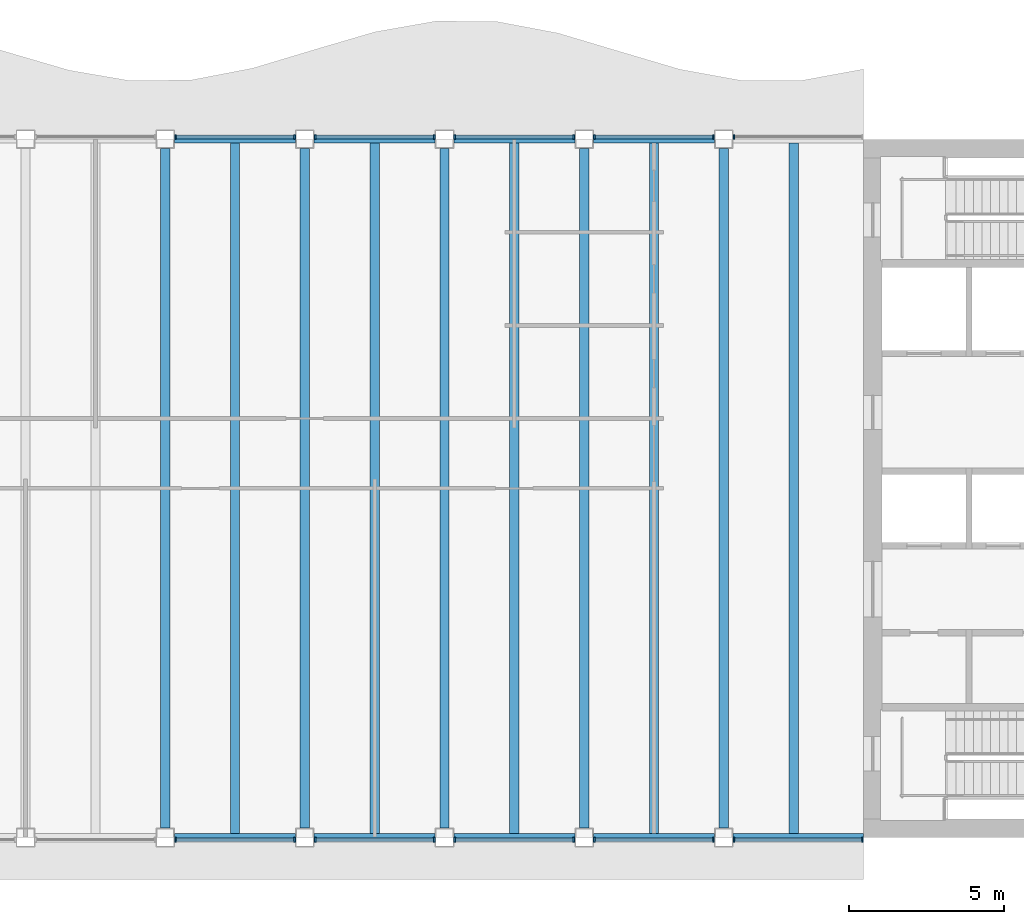
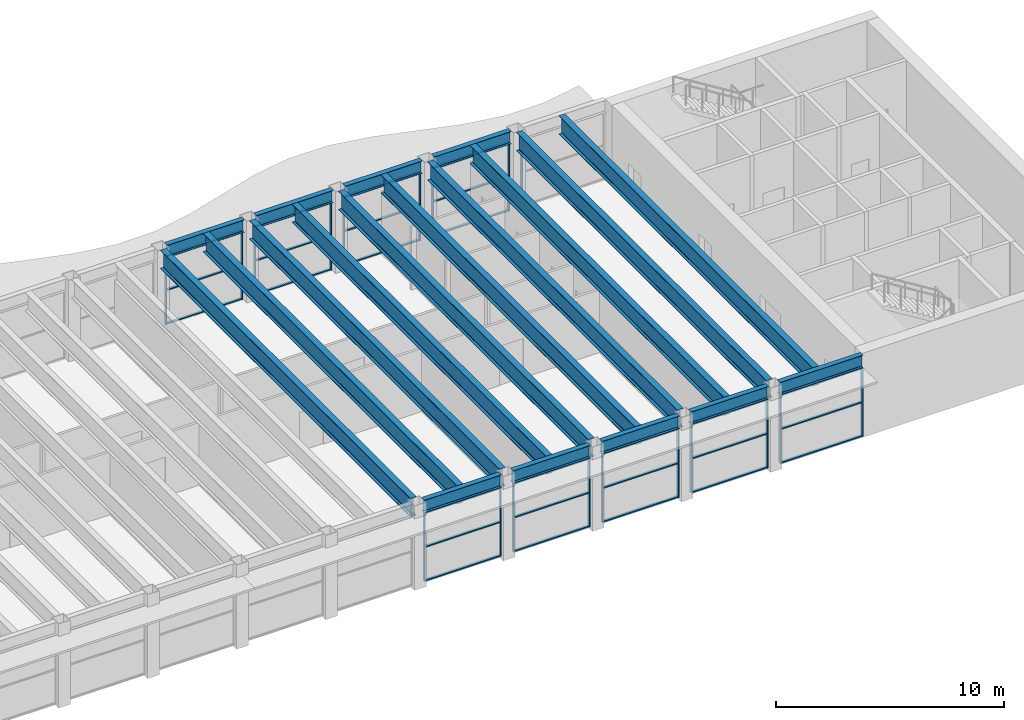
# One storey, part 5 of 15: 46 members, 19 beams, 10 elements without a shape of their own.
"""IFC4 building model written with IfcOpenShell, lengths in metres."""

from ifc_helpers import new_model, si_unit, direction, frame, origin, origin_2d, place, context, subcontext, project, spatial, rectangle, i_section, extrude, material, material_profile, profile_set, type_object, element, aggregate, save


model = new_model("IFC4")

# Units and contexts
model_context = context("Model", 3, precision=1e-05, world=origin(), true_north=direction((0.0, 1.0)))
body_context = subcontext(model_context, "Body", "Model", "MODEL_VIEW")
ifc_project = project(units=[si_unit("LENGTHUNIT", "METRE"), si_unit("AREAUNIT", "SQUARE_METRE"), si_unit("VOLUMEUNIT", "CUBIC_METRE"), si_unit("PLANEANGLEUNIT", "RADIAN"), si_unit("MASSUNIT", "GRAM", prefix="KILO")], contexts=[model_context])

# Site, building, storey
site_placement = place(None, origin())
site = spatial("IfcSite", under=ifc_project, at=site_placement, CompositionType="ELEMENT")
building_placement = place(site_placement, origin())
building = spatial("IfcBuilding", under=site, at=building_placement, Name="Sennacour Bend Tower", CompositionType="ELEMENT")
storey_placement = place(building_placement, frame((0.0, 0.0, 318.5)))
storey = spatial("IfcBuildingStorey", under=building, at=storey_placement, Name="L73", CompositionType="ELEMENT", Elevation=318.5)

# Curtain wall, members
ifc_material_1 = material(Name="Bronze anodised aluminium curtain wall with clear glass", Category="aluminium")
curtain_wall_type = type_object("IfcCurtainWallType", Name="CURTAIN WALL EXEC", PredefinedType="NOTDEFINED", material=ifc_material_1)
curtain_wall_1_placement = place(storey_placement, origin())
curtain_wall_1 = element("IfcCurtainWall", 1, at=curtain_wall_1_placement, inside=storey, type_object=curtain_wall_type, Name="Executive floor glass wall L73", PredefinedType="NOTDEFINED")
ifc_material_2 = material(Name="Aluminium 6063-T6", Category="aluminium")
ifc_material_profile_1 = material_profile(ifc_material_2, rectangle(XDim=0.14990234375, YDim=0.06005859375, at=origin_2d()), Name="Aluminium 6063-T6", Category="aluminium")
ifc_profile_set_1 = profile_set([ifc_material_profile_1], Name="Aluminium 6063-T6")
member_type_1 = type_object("IfcMemberType", Name="CW-MULLION-150X60", PredefinedType="MULLION", material=ifc_profile_set_1)
member_1_placement = place(storey_placement, frame((31.830078125, -0.074951171875, 0.0), z_axis=(0.0, 0.0, 1.0), x_axis=(0.0, 1.0, 0.0)))
member_1 = element("IfcMember", 2, at=member_1_placement, type_object=member_type_1, Name="GW3 curtain wall mullion 1", PredefinedType="MULLION", context=body_context, shape_type="SweptSolid", body=[
    extrude(rectangle(XDim=0.14990234375, YDim=0.06005859375, at=origin_2d()), origin(), (0.0, 0.0, 1.0), 3.672119140625),
])
member_2_placement = place(storey_placement, frame((35.669921875, -0.074951171875, 0.0), z_axis=(0.0, 0.0, 1.0), x_axis=(0.0, 1.0, 0.0)))
member_2 = element("IfcMember", 3, at=member_2_placement, type_object=member_type_1, Name="GW3 curtain wall mullion 2", PredefinedType="MULLION", context=body_context, shape_type="SweptSolid", body=[
    extrude(rectangle(XDim=0.14990234375, YDim=0.06005859375, at=origin_2d()), origin(), (0.0, 0.0, 1.0), 3.672119140625),
])

curtain_wall_2_placement = place(storey_placement, origin())
curtain_wall_2 = element("IfcCurtainWall", 4, at=curtain_wall_2_placement, inside=storey, type_object=curtain_wall_type, Name="Executive floor glass wall L73", PredefinedType="NOTDEFINED")
member_3_placement = place(storey_placement, frame((36.330078125, -0.074951171875, 0.0), z_axis=(0.0, 0.0, 1.0), x_axis=(0.0, 1.0, 0.0)))
member_3 = element("IfcMember", 5, at=member_3_placement, type_object=member_type_1, Name="GW3 curtain wall mullion 1", PredefinedType="MULLION", context=body_context, shape_type="SweptSolid", body=[
    extrude(rectangle(XDim=0.14990234375, YDim=0.06005859375, at=origin_2d()), origin(), (0.0, 0.0, 1.0), 3.672119140625),
])
member_4_placement = place(storey_placement, frame((40.169921875, -0.074951171875, 0.0), z_axis=(0.0, 0.0, 1.0), x_axis=(0.0, 1.0, 0.0)))
member_4 = element("IfcMember", 6, at=member_4_placement, type_object=member_type_1, Name="GW3 curtain wall mullion 2", PredefinedType="MULLION", context=body_context, shape_type="SweptSolid", body=[
    extrude(rectangle(XDim=0.14990234375, YDim=0.06005859375, at=origin_2d()), origin(), (0.0, 0.0, 1.0), 3.672119140625),
])

curtain_wall_3_placement = place(storey_placement, origin())
curtain_wall_3 = element("IfcCurtainWall", 7, at=curtain_wall_3_placement, inside=storey, type_object=curtain_wall_type, Name="Executive floor glass wall L73", PredefinedType="NOTDEFINED")
member_5_placement = place(storey_placement, frame((40.830078125, -0.074951171875, 0.0), z_axis=(0.0, 0.0, 1.0), x_axis=(0.0, 1.0, 0.0)))
member_5 = element("IfcMember", 8, at=member_5_placement, type_object=member_type_1, Name="GW3 curtain wall mullion 1", PredefinedType="MULLION", context=body_context, shape_type="SweptSolid", body=[
    extrude(rectangle(XDim=0.14990234375, YDim=0.06005859375, at=origin_2d()), origin(), (0.0, 0.0, 1.0), 3.672119140625),
])
member_6_placement = place(storey_placement, frame((44.669921875, -0.074951171875, 0.0), z_axis=(0.0, 0.0, 1.0), x_axis=(0.0, 1.0, 0.0)))
member_6 = element("IfcMember", 9, at=member_6_placement, type_object=member_type_1, Name="GW3 curtain wall mullion 2", PredefinedType="MULLION", context=body_context, shape_type="SweptSolid", body=[
    extrude(rectangle(XDim=0.14990234375, YDim=0.06005859375, at=origin_2d()), origin(), (0.0, 0.0, 1.0), 3.672119140625),
])

curtain_wall_4_placement = place(storey_placement, origin())
curtain_wall_4 = element("IfcCurtainWall", 10, at=curtain_wall_4_placement, inside=storey, type_object=curtain_wall_type, Name="Executive floor glass wall L73", PredefinedType="NOTDEFINED")
member_7_placement = place(storey_placement, frame((45.330078125, -0.074951171875, 0.0), z_axis=(0.0, 0.0, 1.0), x_axis=(0.0, 1.0, 0.0)))
member_7 = element("IfcMember", 11, at=member_7_placement, type_object=member_type_1, Name="GW3 curtain wall mullion 1", PredefinedType="MULLION", context=body_context, shape_type="SweptSolid", body=[
    extrude(rectangle(XDim=0.14990234375, YDim=0.06005859375, at=origin_2d()), origin(), (0.0, 0.0, 1.0), 3.672119140625),
])
member_8_placement = place(storey_placement, frame((49.169921875, -0.074951171875, 0.0), z_axis=(0.0, 0.0, 1.0), x_axis=(0.0, 1.0, 0.0)))
member_8 = element("IfcMember", 12, at=member_8_placement, type_object=member_type_1, Name="GW3 curtain wall mullion 2", PredefinedType="MULLION", context=body_context, shape_type="SweptSolid", body=[
    extrude(rectangle(XDim=0.14990234375, YDim=0.06005859375, at=origin_2d()), origin(), (0.0, 0.0, 1.0), 3.672119140625),
])

curtain_wall_5_placement = place(storey_placement, origin())
curtain_wall_5 = element("IfcCurtainWall", 13, at=curtain_wall_5_placement, inside=storey, type_object=curtain_wall_type, Name="Executive floor glass wall L73", PredefinedType="NOTDEFINED")
member_9_placement = place(storey_placement, frame((49.830078125, -0.074951171875, 0.0), z_axis=(0.0, 0.0, 1.0), x_axis=(0.0, 1.0, 0.0)))
member_9 = element("IfcMember", 14, at=member_9_placement, type_object=member_type_1, Name="GW3 curtain wall mullion 1", PredefinedType="MULLION", context=body_context, shape_type="SweptSolid", body=[
    extrude(rectangle(XDim=0.14990234375, YDim=0.06005859375, at=origin_2d()), origin(), (0.0, 0.0, 1.0), 3.672119140625),
])
member_10_placement = place(storey_placement, frame((53.969970703125, -0.074951171875, 0.0), z_axis=(0.0, 0.0, 1.0), x_axis=(0.0, 1.0, 0.0)))
member_10 = element("IfcMember", 15, at=member_10_placement, type_object=member_type_1, Name="GW3 curtain wall mullion 2", PredefinedType="MULLION", context=body_context, shape_type="SweptSolid", body=[
    extrude(rectangle(XDim=0.14990234375, YDim=0.06005859375, at=origin_2d()), origin(), (0.0, 0.0, 1.0), 3.672119140625),
])

# Curtain wall, member
curtain_wall_6_placement = place(storey_placement, origin())
curtain_wall_6 = element("IfcCurtainWall", 16, at=curtain_wall_6_placement, inside=storey, type_object=curtain_wall_type, Name="Executive floor glass wall L73", PredefinedType="NOTDEFINED")
member_11_placement = place(storey_placement, frame((49.830078125, 22.574951171875, 0.0), z_axis=(0.0, 0.0, 1.0), x_axis=(0.0, -1.0, 0.0)))
member_11 = element("IfcMember", 17, at=member_11_placement, type_object=member_type_1, Name="GW3 curtain wall mullion 2", PredefinedType="MULLION", context=body_context, shape_type="SweptSolid", body=[
    extrude(rectangle(XDim=0.14990234375, YDim=0.06005859375, at=origin_2d()), origin(), (0.0, 0.0, 1.0), 3.672119140625),
])
aggregate(curtain_wall_6, [member_11])

# Curtain wall, members
curtain_wall_7_placement = place(storey_placement, origin())
curtain_wall_7 = element("IfcCurtainWall", 18, at=curtain_wall_7_placement, inside=storey, type_object=curtain_wall_type, Name="Executive floor glass wall L73", PredefinedType="NOTDEFINED")
member_12_placement = place(storey_placement, frame((49.169921875, 22.574951171875, 0.0), z_axis=(0.0, 0.0, 1.0), x_axis=(0.0, -1.0, 0.0)))
member_12 = element("IfcMember", 19, at=member_12_placement, type_object=member_type_1, Name="GW3 curtain wall mullion 1", PredefinedType="MULLION", context=body_context, shape_type="SweptSolid", body=[
    extrude(rectangle(XDim=0.14990234375, YDim=0.06005859375, at=origin_2d()), origin(), (0.0, 0.0, 1.0), 3.672119140625),
])
member_13_placement = place(storey_placement, frame((45.330078125, 22.574951171875, 0.0), z_axis=(0.0, 0.0, 1.0), x_axis=(0.0, -1.0, 0.0)))
member_13 = element("IfcMember", 20, at=member_13_placement, type_object=member_type_1, Name="GW3 curtain wall mullion 2", PredefinedType="MULLION", context=body_context, shape_type="SweptSolid", body=[
    extrude(rectangle(XDim=0.14990234375, YDim=0.06005859375, at=origin_2d()), origin(), (0.0, 0.0, 1.0), 3.672119140625),
])

curtain_wall_8_placement = place(storey_placement, origin())
curtain_wall_8 = element("IfcCurtainWall", 21, at=curtain_wall_8_placement, inside=storey, type_object=curtain_wall_type, Name="Executive floor glass wall L73", PredefinedType="NOTDEFINED")
member_14_placement = place(storey_placement, frame((44.669921875, 22.574951171875, 0.0), z_axis=(0.0, 0.0, 1.0), x_axis=(0.0, -1.0, 0.0)))
member_14 = element("IfcMember", 22, at=member_14_placement, type_object=member_type_1, Name="GW3 curtain wall mullion 1", PredefinedType="MULLION", context=body_context, shape_type="SweptSolid", body=[
    extrude(rectangle(XDim=0.14990234375, YDim=0.06005859375, at=origin_2d()), origin(), (0.0, 0.0, 1.0), 3.672119140625),
])
member_15_placement = place(storey_placement, frame((40.830078125, 22.574951171875, 0.0), z_axis=(0.0, 0.0, 1.0), x_axis=(0.0, -1.0, 0.0)))
member_15 = element("IfcMember", 23, at=member_15_placement, type_object=member_type_1, Name="GW3 curtain wall mullion 2", PredefinedType="MULLION", context=body_context, shape_type="SweptSolid", body=[
    extrude(rectangle(XDim=0.14990234375, YDim=0.06005859375, at=origin_2d()), origin(), (0.0, 0.0, 1.0), 3.672119140625),
])

curtain_wall_9_placement = place(storey_placement, origin())
curtain_wall_9 = element("IfcCurtainWall", 24, at=curtain_wall_9_placement, inside=storey, type_object=curtain_wall_type, Name="Executive floor glass wall L73", PredefinedType="NOTDEFINED")
member_16_placement = place(storey_placement, frame((40.169921875, 22.574951171875, 0.0), z_axis=(0.0, 0.0, 1.0), x_axis=(0.0, -1.0, 0.0)))
member_16 = element("IfcMember", 25, at=member_16_placement, type_object=member_type_1, Name="GW3 curtain wall mullion 1", PredefinedType="MULLION", context=body_context, shape_type="SweptSolid", body=[
    extrude(rectangle(XDim=0.14990234375, YDim=0.06005859375, at=origin_2d()), origin(), (0.0, 0.0, 1.0), 3.672119140625),
])
member_17_placement = place(storey_placement, frame((36.330078125, 22.574951171875, 0.0), z_axis=(0.0, 0.0, 1.0), x_axis=(0.0, -1.0, 0.0)))
member_17 = element("IfcMember", 26, at=member_17_placement, type_object=member_type_1, Name="GW3 curtain wall mullion 2", PredefinedType="MULLION", context=body_context, shape_type="SweptSolid", body=[
    extrude(rectangle(XDim=0.14990234375, YDim=0.06005859375, at=origin_2d()), origin(), (0.0, 0.0, 1.0), 3.672119140625),
])

curtain_wall_10_placement = place(storey_placement, origin())
curtain_wall_10 = element("IfcCurtainWall", 27, at=curtain_wall_10_placement, inside=storey, type_object=curtain_wall_type, Name="Executive floor glass wall L73", PredefinedType="NOTDEFINED")
member_18_placement = place(storey_placement, frame((35.669921875, 22.574951171875, 0.0), z_axis=(0.0, 0.0, 1.0), x_axis=(0.0, -1.0, 0.0)))
member_18 = element("IfcMember", 28, at=member_18_placement, type_object=member_type_1, Name="GW3 curtain wall mullion 1", PredefinedType="MULLION", context=body_context, shape_type="SweptSolid", body=[
    extrude(rectangle(XDim=0.14990234375, YDim=0.06005859375, at=origin_2d()), origin(), (0.0, 0.0, 1.0), 3.672119140625),
])
member_19_placement = place(storey_placement, frame((31.830078125, 22.574951171875, 0.0), z_axis=(0.0, 0.0, 1.0), x_axis=(0.0, -1.0, 0.0)))
member_19 = element("IfcMember", 29, at=member_19_placement, type_object=member_type_1, Name="GW3 curtain wall mullion 2", PredefinedType="MULLION", context=body_context, shape_type="SweptSolid", body=[
    extrude(rectangle(XDim=0.14990234375, YDim=0.06005859375, at=origin_2d()), origin(), (0.0, 0.0, 1.0), 3.672119140625),
])

# Member
ifc_material_profile_2 = material_profile(ifc_material_2, rectangle(XDim=0.1201171875, YDim=0.06005859375, at=origin_2d()), Name="Aluminium 6063-T6", Category="aluminium")
ifc_profile_set_2 = profile_set([ifc_material_profile_2], Name="Aluminium 6063-T6")
member_type_2 = type_object("IfcMemberType", Name="CW-TRANSOM-120X60", PredefinedType="USERDEFINED", material=ifc_profile_set_2)
member_20_placement = place(storey_placement, frame((31.860107421875, -0.074951171875, 0.030029296875), z_axis=(1.0, 0.0, 0.0), x_axis=(0.0, 1.0, 0.0)))
member_20 = element("IfcMember", 30, at=member_20_placement, type_object=member_type_2, Name="GW3 curtain wall transom 1.1", ObjectType="TRANSOM", PredefinedType="USERDEFINED", context=body_context, shape_type="SweptSolid", body=[
    extrude(rectangle(XDim=0.1201171875, YDim=0.06005859375, at=origin_2d()), origin(), (0.0, 0.0, 1.0), 3.77978515625),
])

member_21_placement = place(storey_placement, frame((31.860107421875, -0.074951171875, 1.8359375), z_axis=(1.0, 0.0, 0.0), x_axis=(0.0, 1.0, 0.0)))
member_21 = element("IfcMember", 31, at=member_21_placement, type_object=member_type_2, Name="GW3 curtain wall transom 1.2", ObjectType="TRANSOM", PredefinedType="USERDEFINED", context=body_context, shape_type="SweptSolid", body=[
    extrude(rectangle(XDim=0.1201171875, YDim=0.06005859375, at=origin_2d()), origin(), (0.0, 0.0, 1.0), 3.77978515625),
])

member_22_placement = place(storey_placement, frame((31.860107421875, -0.074951171875, 3.64208984375), z_axis=(1.0, 0.0, 0.0), x_axis=(0.0, 1.0, 0.0)))
member_22 = element("IfcMember", 32, at=member_22_placement, type_object=member_type_2, Name="GW3 curtain wall transom 1.3", ObjectType="TRANSOM", PredefinedType="USERDEFINED", context=body_context, shape_type="SweptSolid", body=[
    extrude(rectangle(XDim=0.1201171875, YDim=0.06005859375, at=origin_2d()), origin(), (0.0, 0.0, 1.0), 3.77978515625),
])

aggregate(curtain_wall_1, [member_1, member_2, member_20, member_21, member_22])

member_23_placement = place(storey_placement, frame((36.360107421875, -0.074951171875, 0.030029296875), z_axis=(1.0, 0.0, 0.0), x_axis=(0.0, 1.0, 0.0)))
member_23 = element("IfcMember", 33, at=member_23_placement, type_object=member_type_2, Name="GW3 curtain wall transom 1.1", ObjectType="TRANSOM", PredefinedType="USERDEFINED", context=body_context, shape_type="SweptSolid", body=[
    extrude(rectangle(XDim=0.1201171875, YDim=0.06005859375, at=origin_2d()), origin(), (0.0, 0.0, 1.0), 3.77978515625),
])

member_24_placement = place(storey_placement, frame((36.360107421875, -0.074951171875, 1.8359375), z_axis=(1.0, 0.0, 0.0), x_axis=(0.0, 1.0, 0.0)))
member_24 = element("IfcMember", 34, at=member_24_placement, type_object=member_type_2, Name="GW3 curtain wall transom 1.2", ObjectType="TRANSOM", PredefinedType="USERDEFINED", context=body_context, shape_type="SweptSolid", body=[
    extrude(rectangle(XDim=0.1201171875, YDim=0.06005859375, at=origin_2d()), origin(), (0.0, 0.0, 1.0), 3.77978515625),
])

member_25_placement = place(storey_placement, frame((36.360107421875, -0.074951171875, 3.64208984375), z_axis=(1.0, 0.0, 0.0), x_axis=(0.0, 1.0, 0.0)))
member_25 = element("IfcMember", 35, at=member_25_placement, type_object=member_type_2, Name="GW3 curtain wall transom 1.3", ObjectType="TRANSOM", PredefinedType="USERDEFINED", context=body_context, shape_type="SweptSolid", body=[
    extrude(rectangle(XDim=0.1201171875, YDim=0.06005859375, at=origin_2d()), origin(), (0.0, 0.0, 1.0), 3.77978515625),
])

aggregate(curtain_wall_2, [member_3, member_4, member_23, member_24, member_25])

member_26_placement = place(storey_placement, frame((40.860107421875, -0.074951171875, 0.030029296875), z_axis=(1.0, 0.0, 0.0), x_axis=(0.0, 1.0, 0.0)))
member_26 = element("IfcMember", 36, at=member_26_placement, type_object=member_type_2, Name="GW3 curtain wall transom 1.1", ObjectType="TRANSOM", PredefinedType="USERDEFINED", context=body_context, shape_type="SweptSolid", body=[
    extrude(rectangle(XDim=0.1201171875, YDim=0.06005859375, at=origin_2d()), origin(), (0.0, 0.0, 1.0), 3.77978515625),
])

member_27_placement = place(storey_placement, frame((40.860107421875, -0.074951171875, 1.8359375), z_axis=(1.0, 0.0, 0.0), x_axis=(0.0, 1.0, 0.0)))
member_27 = element("IfcMember", 37, at=member_27_placement, type_object=member_type_2, Name="GW3 curtain wall transom 1.2", ObjectType="TRANSOM", PredefinedType="USERDEFINED", context=body_context, shape_type="SweptSolid", body=[
    extrude(rectangle(XDim=0.1201171875, YDim=0.06005859375, at=origin_2d()), origin(), (0.0, 0.0, 1.0), 3.77978515625),
])

member_28_placement = place(storey_placement, frame((40.860107421875, -0.074951171875, 3.64208984375), z_axis=(1.0, 0.0, 0.0), x_axis=(0.0, 1.0, 0.0)))
member_28 = element("IfcMember", 38, at=member_28_placement, type_object=member_type_2, Name="GW3 curtain wall transom 1.3", ObjectType="TRANSOM", PredefinedType="USERDEFINED", context=body_context, shape_type="SweptSolid", body=[
    extrude(rectangle(XDim=0.1201171875, YDim=0.06005859375, at=origin_2d()), origin(), (0.0, 0.0, 1.0), 3.77978515625),
])

aggregate(curtain_wall_3, [member_5, member_6, member_26, member_27, member_28])

member_29_placement = place(storey_placement, frame((45.360107421875, -0.074951171875, 0.030029296875), z_axis=(1.0, 0.0, 0.0), x_axis=(0.0, 1.0, 0.0)))
member_29 = element("IfcMember", 39, at=member_29_placement, type_object=member_type_2, Name="GW3 curtain wall transom 1.1", ObjectType="TRANSOM", PredefinedType="USERDEFINED", context=body_context, shape_type="SweptSolid", body=[
    extrude(rectangle(XDim=0.1201171875, YDim=0.06005859375, at=origin_2d()), origin(), (0.0, 0.0, 1.0), 3.77978515625),
])

member_30_placement = place(storey_placement, frame((45.360107421875, -0.074951171875, 1.8359375), z_axis=(1.0, 0.0, 0.0), x_axis=(0.0, 1.0, 0.0)))
member_30 = element("IfcMember", 40, at=member_30_placement, type_object=member_type_2, Name="GW3 curtain wall transom 1.2", ObjectType="TRANSOM", PredefinedType="USERDEFINED", context=body_context, shape_type="SweptSolid", body=[
    extrude(rectangle(XDim=0.1201171875, YDim=0.06005859375, at=origin_2d()), origin(), (0.0, 0.0, 1.0), 3.77978515625),
])

member_31_placement = place(storey_placement, frame((45.360107421875, -0.074951171875, 3.64208984375), z_axis=(1.0, 0.0, 0.0), x_axis=(0.0, 1.0, 0.0)))
member_31 = element("IfcMember", 41, at=member_31_placement, type_object=member_type_2, Name="GW3 curtain wall transom 1.3", ObjectType="TRANSOM", PredefinedType="USERDEFINED", context=body_context, shape_type="SweptSolid", body=[
    extrude(rectangle(XDim=0.1201171875, YDim=0.06005859375, at=origin_2d()), origin(), (0.0, 0.0, 1.0), 3.77978515625),
])

aggregate(curtain_wall_4, [member_7, member_8, member_29, member_30, member_31])

member_32_placement = place(storey_placement, frame((49.860107421875, -0.074951171875, 0.030029296875), z_axis=(1.0, 0.0, 0.0), x_axis=(0.0, 1.0, 0.0)))
member_32 = element("IfcMember", 42, at=member_32_placement, type_object=member_type_2, Name="GW3 curtain wall transom 1.1", ObjectType="TRANSOM", PredefinedType="USERDEFINED", context=body_context, shape_type="SweptSolid", body=[
    extrude(rectangle(XDim=0.1201171875, YDim=0.06005859375, at=origin_2d()), origin(), (0.0, 0.0, 1.0), 4.079833984375),
])

member_33_placement = place(storey_placement, frame((49.860107421875, -0.074951171875, 1.8359375), z_axis=(1.0, 0.0, 0.0), x_axis=(0.0, 1.0, 0.0)))
member_33 = element("IfcMember", 43, at=member_33_placement, type_object=member_type_2, Name="GW3 curtain wall transom 1.2", ObjectType="TRANSOM", PredefinedType="USERDEFINED", context=body_context, shape_type="SweptSolid", body=[
    extrude(rectangle(XDim=0.1201171875, YDim=0.06005859375, at=origin_2d()), origin(), (0.0, 0.0, 1.0), 4.079833984375),
])

member_34_placement = place(storey_placement, frame((49.860107421875, -0.074951171875, 3.64208984375), z_axis=(1.0, 0.0, 0.0), x_axis=(0.0, 1.0, 0.0)))
member_34 = element("IfcMember", 44, at=member_34_placement, type_object=member_type_2, Name="GW3 curtain wall transom 1.3", ObjectType="TRANSOM", PredefinedType="USERDEFINED", context=body_context, shape_type="SweptSolid", body=[
    extrude(rectangle(XDim=0.1201171875, YDim=0.06005859375, at=origin_2d()), origin(), (0.0, 0.0, 1.0), 4.079833984375),
])

aggregate(curtain_wall_5, [member_9, member_10, member_32, member_33, member_34])

member_35_placement = place(storey_placement, frame((49.139892578125, 22.574951171875, 0.030029296875), z_axis=(-1.0, 0.0, 0.0), x_axis=(0.0, -1.0, 0.0)))
member_35 = element("IfcMember", 45, at=member_35_placement, type_object=member_type_2, Name="GW3 curtain wall transom 1.1", ObjectType="TRANSOM", PredefinedType="USERDEFINED", context=body_context, shape_type="SweptSolid", body=[
    extrude(rectangle(XDim=0.1201171875, YDim=0.06005859375, at=origin_2d()), origin(), (0.0, 0.0, 1.0), 3.77978515625),
])

member_36_placement = place(storey_placement, frame((49.139892578125, 22.574951171875, 1.8359375), z_axis=(-1.0, 0.0, 0.0), x_axis=(0.0, -1.0, 0.0)))
member_36 = element("IfcMember", 46, at=member_36_placement, type_object=member_type_2, Name="GW3 curtain wall transom 1.2", ObjectType="TRANSOM", PredefinedType="USERDEFINED", context=body_context, shape_type="SweptSolid", body=[
    extrude(rectangle(XDim=0.1201171875, YDim=0.06005859375, at=origin_2d()), origin(), (0.0, 0.0, 1.0), 3.77978515625),
])

member_37_placement = place(storey_placement, frame((49.139892578125, 22.574951171875, 3.64208984375), z_axis=(-1.0, 0.0, 0.0), x_axis=(0.0, -1.0, 0.0)))
member_37 = element("IfcMember", 47, at=member_37_placement, type_object=member_type_2, Name="GW3 curtain wall transom 1.3", ObjectType="TRANSOM", PredefinedType="USERDEFINED", context=body_context, shape_type="SweptSolid", body=[
    extrude(rectangle(XDim=0.1201171875, YDim=0.06005859375, at=origin_2d()), origin(), (0.0, 0.0, 1.0), 3.77978515625),
])

aggregate(curtain_wall_7, [member_12, member_13, member_35, member_36, member_37])

member_38_placement = place(storey_placement, frame((44.639892578125, 22.574951171875, 0.030029296875), z_axis=(-1.0, 0.0, 0.0), x_axis=(0.0, -1.0, 0.0)))
member_38 = element("IfcMember", 48, at=member_38_placement, type_object=member_type_2, Name="GW3 curtain wall transom 1.1", ObjectType="TRANSOM", PredefinedType="USERDEFINED", context=body_context, shape_type="SweptSolid", body=[
    extrude(rectangle(XDim=0.1201171875, YDim=0.06005859375, at=origin_2d()), origin(), (0.0, 0.0, 1.0), 3.77978515625),
])

member_39_placement = place(storey_placement, frame((44.639892578125, 22.574951171875, 1.8359375), z_axis=(-1.0, 0.0, 0.0), x_axis=(0.0, -1.0, 0.0)))
member_39 = element("IfcMember", 49, at=member_39_placement, type_object=member_type_2, Name="GW3 curtain wall transom 1.2", ObjectType="TRANSOM", PredefinedType="USERDEFINED", context=body_context, shape_type="SweptSolid", body=[
    extrude(rectangle(XDim=0.1201171875, YDim=0.06005859375, at=origin_2d()), origin(), (0.0, 0.0, 1.0), 3.77978515625),
])

member_40_placement = place(storey_placement, frame((44.639892578125, 22.574951171875, 3.64208984375), z_axis=(-1.0, 0.0, 0.0), x_axis=(0.0, -1.0, 0.0)))
member_40 = element("IfcMember", 50, at=member_40_placement, type_object=member_type_2, Name="GW3 curtain wall transom 1.3", ObjectType="TRANSOM", PredefinedType="USERDEFINED", context=body_context, shape_type="SweptSolid", body=[
    extrude(rectangle(XDim=0.1201171875, YDim=0.06005859375, at=origin_2d()), origin(), (0.0, 0.0, 1.0), 3.77978515625),
])

aggregate(curtain_wall_8, [member_14, member_15, member_38, member_39, member_40])

member_41_placement = place(storey_placement, frame((40.139892578125, 22.574951171875, 0.030029296875), z_axis=(-1.0, 0.0, 0.0), x_axis=(0.0, -1.0, 0.0)))
member_41 = element("IfcMember", 51, at=member_41_placement, type_object=member_type_2, Name="GW3 curtain wall transom 1.1", ObjectType="TRANSOM", PredefinedType="USERDEFINED", context=body_context, shape_type="SweptSolid", body=[
    extrude(rectangle(XDim=0.1201171875, YDim=0.06005859375, at=origin_2d()), origin(), (0.0, 0.0, 1.0), 3.77978515625),
])

member_42_placement = place(storey_placement, frame((40.139892578125, 22.574951171875, 1.8359375), z_axis=(-1.0, 0.0, 0.0), x_axis=(0.0, -1.0, 0.0)))
member_42 = element("IfcMember", 52, at=member_42_placement, type_object=member_type_2, Name="GW3 curtain wall transom 1.2", ObjectType="TRANSOM", PredefinedType="USERDEFINED", context=body_context, shape_type="SweptSolid", body=[
    extrude(rectangle(XDim=0.1201171875, YDim=0.06005859375, at=origin_2d()), origin(), (0.0, 0.0, 1.0), 3.77978515625),
])

member_43_placement = place(storey_placement, frame((40.139892578125, 22.574951171875, 3.64208984375), z_axis=(-1.0, 0.0, 0.0), x_axis=(0.0, -1.0, 0.0)))
member_43 = element("IfcMember", 53, at=member_43_placement, type_object=member_type_2, Name="GW3 curtain wall transom 1.3", ObjectType="TRANSOM", PredefinedType="USERDEFINED", context=body_context, shape_type="SweptSolid", body=[
    extrude(rectangle(XDim=0.1201171875, YDim=0.06005859375, at=origin_2d()), origin(), (0.0, 0.0, 1.0), 3.77978515625),
])

aggregate(curtain_wall_9, [member_16, member_17, member_41, member_42, member_43])

member_44_placement = place(storey_placement, frame((35.639892578125, 22.574951171875, 0.030029296875), z_axis=(-1.0, 0.0, 0.0), x_axis=(0.0, -1.0, 0.0)))
member_44 = element("IfcMember", 54, at=member_44_placement, type_object=member_type_2, Name="GW3 curtain wall transom 1.1", ObjectType="TRANSOM", PredefinedType="USERDEFINED", context=body_context, shape_type="SweptSolid", body=[
    extrude(rectangle(XDim=0.1201171875, YDim=0.06005859375, at=origin_2d()), origin(), (0.0, 0.0, 1.0), 3.77978515625),
])

member_45_placement = place(storey_placement, frame((35.639892578125, 22.574951171875, 1.8359375), z_axis=(-1.0, 0.0, 0.0), x_axis=(0.0, -1.0, 0.0)))
member_45 = element("IfcMember", 55, at=member_45_placement, type_object=member_type_2, Name="GW3 curtain wall transom 1.2", ObjectType="TRANSOM", PredefinedType="USERDEFINED", context=body_context, shape_type="SweptSolid", body=[
    extrude(rectangle(XDim=0.1201171875, YDim=0.06005859375, at=origin_2d()), origin(), (0.0, 0.0, 1.0), 3.77978515625),
])

member_46_placement = place(storey_placement, frame((35.639892578125, 22.574951171875, 3.64208984375), z_axis=(-1.0, 0.0, 0.0), x_axis=(0.0, -1.0, 0.0)))
member_46 = element("IfcMember", 56, at=member_46_placement, type_object=member_type_2, Name="GW3 curtain wall transom 1.3", ObjectType="TRANSOM", PredefinedType="USERDEFINED", context=body_context, shape_type="SweptSolid", body=[
    extrude(rectangle(XDim=0.1201171875, YDim=0.06005859375, at=origin_2d()), origin(), (0.0, 0.0, 1.0), 3.77978515625),
])

aggregate(curtain_wall_10, [member_18, member_19, member_44, member_45, member_46])

# Beams
ifc_material_3 = material(Name="Steel ASTM A992 Grade 50", Category="steel")
ifc_material_profile_3 = material_profile(ifc_material_3, i_section(OverallWidth=0.300048828125, OverallDepth=0.990966796875, WebThickness=0.0166015625, FlangeThickness=0.030517578125, FilletRadius=0.030029296875, at=origin_2d()), Name="Steel ASTM A992 Grade 50", Category="steel")
ifc_profile_set_3 = profile_set([ifc_material_profile_3], Name="Steel ASTM A992 Grade 50")
beam_type_1 = type_object("IfcBeamType", Name="Floor beam W1000X272", PredefinedType="BEAM", material=ifc_profile_set_3)
beam_1_placement = place(storey_placement, frame((31.5, 0.300048828125, 3.8544921875), z_axis=(0.0, 1.0, 0.0), x_axis=(-1.0, 0.0, 0.0)))
element("IfcBeam", 57, at=beam_1_placement, inside=storey, type_object=beam_type_1, Name="Floor beam FBM3 L74-014", PredefinedType="BEAM", context=body_context, shape_type="SweptSolid", body=[
    extrude(i_section(OverallWidth=0.300048828125, OverallDepth=0.990966796875, WebThickness=0.0166015625, FlangeThickness=0.030517578125, FilletRadius=0.030029296875, at=origin_2d()), origin(), (0.0, 0.0, 1.0), 21.89990234375),
])
beam_2_placement = place(storey_placement, frame((33.75, 0.126953125, 3.8544921875), z_axis=(0.0, 1.0, 0.0), x_axis=(-1.0, 0.0, 0.0)))
element("IfcBeam", 58, at=beam_2_placement, inside=storey, type_object=beam_type_1, Name="Floor beam FBM3 L74-015", PredefinedType="BEAM", context=body_context, shape_type="SweptSolid", body=[
    extrude(i_section(OverallWidth=0.300048828125, OverallDepth=0.990966796875, WebThickness=0.0166015625, FlangeThickness=0.030517578125, FilletRadius=0.030029296875, at=origin_2d()), origin(), (0.0, 0.0, 1.0), 22.24609375),
])
beam_3_placement = place(storey_placement, frame((36.0, 0.300048828125, 3.8544921875), z_axis=(0.0, 1.0, 0.0), x_axis=(-1.0, 0.0, 0.0)))
element("IfcBeam", 59, at=beam_3_placement, inside=storey, type_object=beam_type_1, Name="Floor beam FBM3 L74-016", PredefinedType="BEAM", context=body_context, shape_type="SweptSolid", body=[
    extrude(i_section(OverallWidth=0.300048828125, OverallDepth=0.990966796875, WebThickness=0.0166015625, FlangeThickness=0.030517578125, FilletRadius=0.030029296875, at=origin_2d()), origin(), (0.0, 0.0, 1.0), 21.89990234375),
])
beam_4_placement = place(storey_placement, frame((38.25, 0.126953125, 3.8544921875), z_axis=(0.0, 1.0, 0.0), x_axis=(-1.0, 0.0, 0.0)))
element("IfcBeam", 60, at=beam_4_placement, inside=storey, type_object=beam_type_1, Name="Floor beam FBM3 L74-017", PredefinedType="BEAM", context=body_context, shape_type="SweptSolid", body=[
    extrude(i_section(OverallWidth=0.300048828125, OverallDepth=0.990966796875, WebThickness=0.0166015625, FlangeThickness=0.030517578125, FilletRadius=0.030029296875, at=origin_2d()), origin(), (0.0, 0.0, 1.0), 22.24609375),
])
beam_5_placement = place(storey_placement, frame((40.5, 0.300048828125, 3.8544921875), z_axis=(0.0, 1.0, 0.0), x_axis=(-1.0, 0.0, 0.0)))
element("IfcBeam", 61, at=beam_5_placement, inside=storey, type_object=beam_type_1, Name="Floor beam FBM3 L74-018", PredefinedType="BEAM", context=body_context, shape_type="SweptSolid", body=[
    extrude(i_section(OverallWidth=0.300048828125, OverallDepth=0.990966796875, WebThickness=0.0166015625, FlangeThickness=0.030517578125, FilletRadius=0.030029296875, at=origin_2d()), origin(), (0.0, 0.0, 1.0), 21.89990234375),
])
beam_6_placement = place(storey_placement, frame((42.75, 0.126953125, 3.8544921875), z_axis=(0.0, 1.0, 0.0), x_axis=(-1.0, 0.0, 0.0)))
element("IfcBeam", 62, at=beam_6_placement, inside=storey, type_object=beam_type_1, Name="Floor beam FBM3 L74-019", PredefinedType="BEAM", context=body_context, shape_type="SweptSolid", body=[
    extrude(i_section(OverallWidth=0.300048828125, OverallDepth=0.990966796875, WebThickness=0.0166015625, FlangeThickness=0.030517578125, FilletRadius=0.030029296875, at=origin_2d()), origin(), (0.0, 0.0, 1.0), 22.24609375),
])
beam_7_placement = place(storey_placement, frame((45.0, 0.300048828125, 3.8544921875), z_axis=(0.0, 1.0, 0.0), x_axis=(-1.0, 0.0, 0.0)))
element("IfcBeam", 63, at=beam_7_placement, inside=storey, type_object=beam_type_1, Name="Floor beam FBM3 L74-020", PredefinedType="BEAM", context=body_context, shape_type="SweptSolid", body=[
    extrude(i_section(OverallWidth=0.300048828125, OverallDepth=0.990966796875, WebThickness=0.0166015625, FlangeThickness=0.030517578125, FilletRadius=0.030029296875, at=origin_2d()), origin(), (0.0, 0.0, 1.0), 21.89990234375),
])
beam_8_placement = place(storey_placement, frame((47.25, 0.126953125, 3.8544921875), z_axis=(0.0, 1.0, 0.0), x_axis=(-1.0, 0.0, 0.0)))
element("IfcBeam", 64, at=beam_8_placement, inside=storey, type_object=beam_type_1, Name="Floor beam FBM3 L74-021", PredefinedType="BEAM", context=body_context, shape_type="SweptSolid", body=[
    extrude(i_section(OverallWidth=0.300048828125, OverallDepth=0.990966796875, WebThickness=0.0166015625, FlangeThickness=0.030517578125, FilletRadius=0.030029296875, at=origin_2d()), origin(), (0.0, 0.0, 1.0), 22.24609375),
])
beam_9_placement = place(storey_placement, frame((49.5, 0.300048828125, 3.8544921875), z_axis=(0.0, 1.0, 0.0), x_axis=(-1.0, 0.0, 0.0)))
element("IfcBeam", 65, at=beam_9_placement, inside=storey, type_object=beam_type_1, Name="Floor beam FBM3 L74-022", PredefinedType="BEAM", context=body_context, shape_type="SweptSolid", body=[
    extrude(i_section(OverallWidth=0.300048828125, OverallDepth=0.990966796875, WebThickness=0.0166015625, FlangeThickness=0.030517578125, FilletRadius=0.030029296875, at=origin_2d()), origin(), (0.0, 0.0, 1.0), 21.89990234375),
])
beam_10_placement = place(storey_placement, frame((51.75, 0.126953125, 3.8544921875), z_axis=(0.0, 1.0, 0.0), x_axis=(-1.0, 0.0, 0.0)))
element("IfcBeam", 66, at=beam_10_placement, inside=storey, type_object=beam_type_1, Name="Floor beam FBM3 L74-023", PredefinedType="BEAM", context=body_context, shape_type="SweptSolid", body=[
    extrude(i_section(OverallWidth=0.300048828125, OverallDepth=0.990966796875, WebThickness=0.0166015625, FlangeThickness=0.030517578125, FilletRadius=0.030029296875, at=origin_2d()), origin(), (0.0, 0.0, 1.0), 22.24609375),
])
ifc_material_profile_4 = material_profile(ifc_material_3, i_section(OverallWidth=0.25390625, OverallDepth=0.677978515625, WebThickness=0.01171875, FlangeThickness=0.016357421875, FilletRadius=0.01513671875, at=origin_2d()), Name="Steel ASTM A992 Grade 50", Category="steel")
ifc_profile_set_4 = profile_set([ifc_material_profile_4], Name="Steel ASTM A992 Grade 50")
beam_type_2 = type_object("IfcBeamType", Name="Spandrel beam W690X125", PredefinedType="SPANDREL", material=ifc_profile_set_4)
for number, where, z_axis, x_axis, name in (
    (67, (31.800048828125, 22.5, 4.010986328125), (1.0, 0.0, 0.0), (0.0, 1.0, 0.0), "Spandrel beam SP7 L74-013"),
    (68, (36.300048828125, 22.5, 4.010986328125), (1.0, 0.0, 0.0), (0.0, 1.0, 0.0), "Spandrel beam SP7 L74-014"),
    (69, (40.800048828125, 22.5, 4.010986328125), (1.0, 0.0, 0.0), (0.0, 1.0, 0.0), "Spandrel beam SP7 L74-015"),
    (70, (45.300048828125, 22.5, 4.010986328125), (1.0, 0.0, 0.0), (0.0, 1.0, 0.0), "Spandrel beam SP7 L74-016"),
):
    element("IfcBeam", number, at=place(storey_placement, frame(where, z_axis=z_axis, x_axis=x_axis)), inside=storey, type_object=beam_type_2, Name=name, PredefinedType="SPANDREL", context=body_context, shape_type="SweptSolid", body=[
        extrude(i_section(OverallWidth=0.25390625, OverallDepth=0.677978515625, WebThickness=0.01171875, FlangeThickness=0.016357421875, FilletRadius=0.01513671875, at=origin_2d()), origin(), (0.0, 0.0, 1.0), 3.89990234375),
    ])
beam_11_placement = place(storey_placement, frame((54.0, 0.0, 4.010986328125), z_axis=(-1.0, 0.0, 0.0), x_axis=(0.0, -1.0, 0.0)))
element("IfcBeam", 71, at=beam_11_placement, inside=storey, type_object=beam_type_2, Name="Spandrel beam SP7 L74-018", PredefinedType="SPANDREL", context=body_context, shape_type="SweptSolid", body=[
    extrude(i_section(OverallWidth=0.25390625, OverallDepth=0.677978515625, WebThickness=0.01171875, FlangeThickness=0.016357421875, FilletRadius=0.01513671875, at=origin_2d()), origin(), (0.0, 0.0, 1.0), 4.199951171875),
])
for number, where, z_axis, x_axis, name in (
    (72, (49.199951171875, 0.0, 4.010986328125), (-1.0, 0.0, 0.0), (0.0, -1.0, 0.0), "Spandrel beam SP7 L74-019"),
    (73, (44.699951171875, 0.0, 4.010986328125), (-1.0, 0.0, 0.0), (0.0, -1.0, 0.0), "Spandrel beam SP7 L74-020"),
    (74, (40.199951171875, 0.0, 4.010986328125), (-1.0, 0.0, 0.0), (0.0, -1.0, 0.0), "Spandrel beam SP7 L74-021"),
    (75, (35.699951171875, 0.0, 4.010986328125), (-1.0, 0.0, 0.0), (0.0, -1.0, 0.0), "Spandrel beam SP7 L74-022"),
):
    element("IfcBeam", number, at=place(storey_placement, frame(where, z_axis=z_axis, x_axis=x_axis)), inside=storey, type_object=beam_type_2, Name=name, PredefinedType="SPANDREL", context=body_context, shape_type="SweptSolid", body=[
        extrude(i_section(OverallWidth=0.25390625, OverallDepth=0.677978515625, WebThickness=0.01171875, FlangeThickness=0.016357421875, FilletRadius=0.01513671875, at=origin_2d()), origin(), (0.0, 0.0, 1.0), 3.89990234375),
    ])

save(model, "model.ifc")
